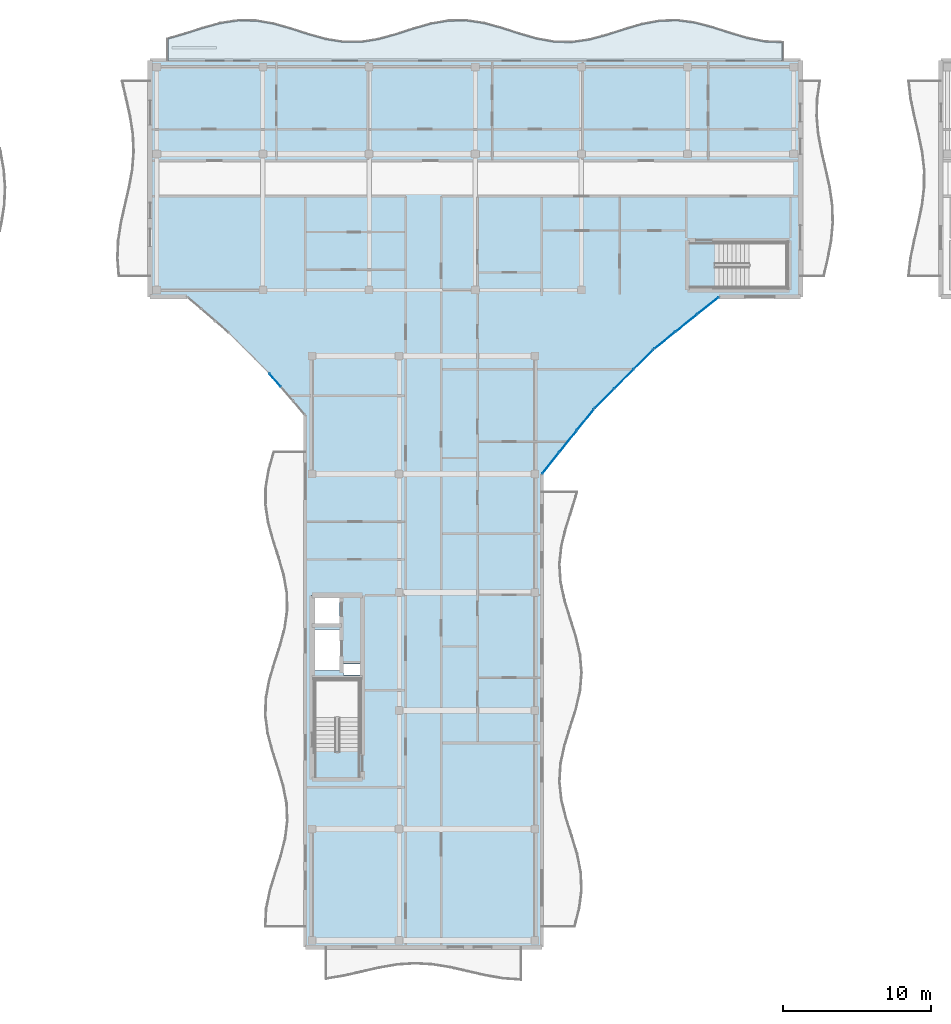
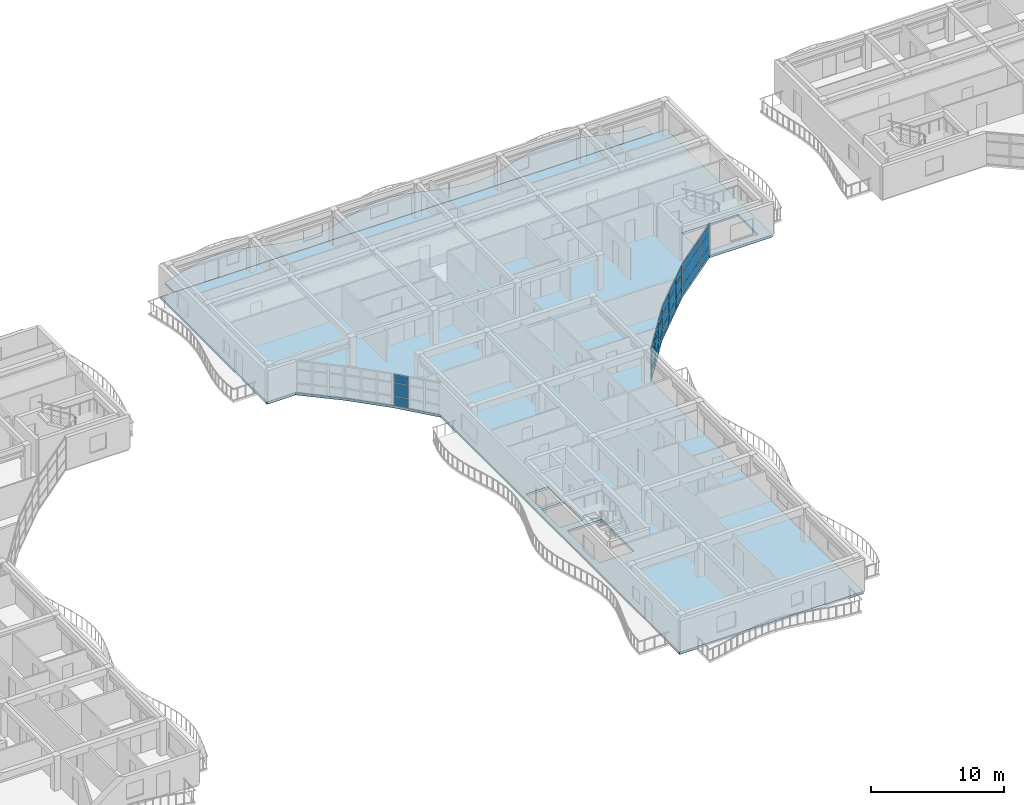
# One storey, part 26 of 68: 30 plates, 2 slabs, 4 elements without a shape of their own.
"""IFC4 building model written with IfcOpenShell, lengths in metres."""

from ifc_helpers import new_model, si_unit, direction, frame, origin, origin_2d, place, context, subcontext, project, spatial, polyline, rectangle, outline, extrude, material, layer, layer_set, type_object, element, aggregate, save


model = new_model("IFC4")

# Units and contexts
model_context = context("Model", 3, precision=1e-05, world=origin(), true_north=direction((0.0, 1.0)))
body_context = subcontext(model_context, "Body", "Model", "MODEL_VIEW")
ifc_project = project(units=[si_unit("LENGTHUNIT", "METRE"), si_unit("AREAUNIT", "SQUARE_METRE"), si_unit("VOLUMEUNIT", "CUBIC_METRE"), si_unit("PLANEANGLEUNIT", "RADIAN"), si_unit("MASSUNIT", "GRAM", prefix="KILO")], contexts=[model_context])

# Site, building, storey
site_placement = place(None, origin())
site = spatial("IfcSite", under=ifc_project, at=site_placement, CompositionType="ELEMENT")
building_placement = place(site_placement, origin())
building = spatial("IfcBuilding", under=site, at=building_placement, Name="Keldmere Railside Commons", CompositionType="ELEMENT")
storey_placement = place(building_placement, frame((0.0, 0.0, 23.360107421875)))
storey = spatial("IfcBuildingStorey", under=building, at=storey_placement, Name="L07", CompositionType="ELEMENT", Elevation=23.360107421875)

# Curtain wall, plates
ifc_material_1 = material(Name="Thermally Broken Aluminium", Category="aluminium")
ifc_layer_1 = layer(ifc_material_1, 0.159912109375, Name="Court Chord Wintergarden CW 5400x2850")
ifc_layer_set_1 = layer_set([ifc_layer_1], Name="Thermally Broken Aluminium")
curtain_wall_type_1 = type_object("IfcCurtainWallType", Name="Court Chord Wintergarden CW 5400x2850", PredefinedType="NOTDEFINED", material=ifc_layer_set_1)
curtain_wall_1_placement = place(storey_placement, origin())
curtain_wall_1 = element("IfcCurtainWall", 1, at=curtain_wall_1_placement, inside=storey, type_object=curtain_wall_type_1, Name="CW-13 CW-L07-128", PredefinedType="NOTDEFINED")
ifc_material_2 = material(Name="Insulated Aluminium Spandrel Panel", Category="aluminium")
ifc_layer_2 = layer(ifc_material_2, 0.0439453125, Name="Insulated Ocher Spandrel Panel 44")
ifc_layer_set_2 = layer_set([ifc_layer_2], Name="Insulated Aluminium Spandrel Panel")
plate_type_1 = type_object("IfcPlateType", Name="Insulated Ocher Spandrel Panel 44", PredefinedType="CURTAIN_PANEL", material=ifc_layer_set_2)
plate_1_placement = place(storey_placement, frame((126.88916015625, 95.76513671875, 0.06494140625), z_axis=(0.0, 0.0, 1.0), x_axis=(-0.707106781187, -0.707106781187, 0.0)))
plate_1 = element("IfcPlate", 2, at=plate_1_placement, type_object=plate_type_1, Name="CW-13 panel 1.1", PredefinedType="CURTAIN_PANEL", context=body_context, shape_type="SweptSolid", body=[
    extrude(rectangle(XDim=1.795654296875, YDim=0.0439453125, at=origin_2d()), origin(), (0.0, 0.0, 1.0), 0.802490234375),
])
plate_2_placement = place(storey_placement, frame((126.88916015625, 95.76513671875, 0.932373046875), z_axis=(0.0, 0.0, 1.0), x_axis=(-0.707106781187, -0.707106781187, 0.0)))
plate_2 = element("IfcPlate", 3, at=plate_2_placement, type_object=plate_type_1, Name="CW-13 panel 1.2", PredefinedType="CURTAIN_PANEL", context=body_context, shape_type="SweptSolid", body=[
    extrude(rectangle(XDim=1.795654296875, YDim=0.0439453125, at=origin_2d()), origin(), (0.0, 0.0, 1.0), 1.18505859375),
])
plate_3_placement = place(storey_placement, frame((126.88916015625, 95.76513671875, 2.182373046875), z_axis=(0.0, 0.0, 1.0), x_axis=(-0.707106781187, -0.707106781187, 0.0)))
plate_3 = element("IfcPlate", 4, at=plate_3_placement, type_object=plate_type_1, Name="CW-13 panel 1.3", PredefinedType="CURTAIN_PANEL", context=body_context, shape_type="SweptSolid", body=[
    extrude(rectangle(XDim=1.795654296875, YDim=0.0439453125, at=origin_2d()), origin(), (0.0, 0.0, 1.0), 0.732421875),
])
plate_4_placement = place(storey_placement, frame((125.56201171875, 94.43798828125, 0.06494140625), z_axis=(0.0, 0.0, 1.0), x_axis=(-0.707106781187, -0.707106781187, 0.0)))
plate_4 = element("IfcPlate", 5, at=plate_4_placement, type_object=plate_type_1, Name="CW-13 panel 2.1", PredefinedType="CURTAIN_PANEL", context=body_context, shape_type="SweptSolid", body=[
    extrude(rectangle(XDim=1.828125, YDim=0.0439453125, at=origin_2d()), origin(), (0.0, 0.0, 1.0), 0.802490234375),
])
plate_5_placement = place(storey_placement, frame((125.56201171875, 94.43798828125, 0.932373046875), z_axis=(0.0, 0.0, 1.0), x_axis=(-0.707106781187, -0.707106781187, 0.0)))
plate_5 = element("IfcPlate", 6, at=plate_5_placement, type_object=plate_type_1, Name="CW-13 panel 2.2", PredefinedType="CURTAIN_PANEL", context=body_context, shape_type="SweptSolid", body=[
    extrude(rectangle(XDim=1.828125, YDim=0.0439453125, at=origin_2d()), origin(), (0.0, 0.0, 1.0), 1.18505859375),
])
plate_6_placement = place(storey_placement, frame((125.56201171875, 94.43798828125, 2.182373046875), z_axis=(0.0, 0.0, 1.0), x_axis=(-0.707106781187, -0.707106781187, 0.0)))
plate_6 = element("IfcPlate", 7, at=plate_6_placement, type_object=plate_type_1, Name="CW-13 panel 2.3", PredefinedType="CURTAIN_PANEL", context=body_context, shape_type="SweptSolid", body=[
    extrude(rectangle(XDim=1.828125, YDim=0.0439453125, at=origin_2d()), origin(), (0.0, 0.0, 1.0), 0.732421875),
])
plate_7_placement = place(storey_placement, frame((124.23486328125, 93.11083984375, 0.06494140625), z_axis=(0.0, 0.0, 1.0), x_axis=(-0.707106781187, -0.707106781187, 0.0)))
plate_7 = element("IfcPlate", 8, at=plate_7_placement, type_object=plate_type_1, Name="CW-13 panel 3.1", PredefinedType="CURTAIN_PANEL", context=body_context, shape_type="SweptSolid", body=[
    extrude(rectangle(XDim=1.795654296875, YDim=0.0439453125, at=origin_2d()), origin(), (0.0, 0.0, 1.0), 0.802490234375),
])
plate_8_placement = place(storey_placement, frame((124.23486328125, 93.11083984375, 0.932373046875), z_axis=(0.0, 0.0, 1.0), x_axis=(-0.707106781187, -0.707106781187, 0.0)))
plate_8 = element("IfcPlate", 9, at=plate_8_placement, type_object=plate_type_1, Name="CW-13 panel 3.2", PredefinedType="CURTAIN_PANEL", context=body_context, shape_type="SweptSolid", body=[
    extrude(rectangle(XDim=1.795654296875, YDim=0.0439453125, at=origin_2d()), origin(), (0.0, 0.0, 1.0), 1.18505859375),
])
plate_9_placement = place(storey_placement, frame((124.23486328125, 93.11083984375, 2.182373046875), z_axis=(0.0, 0.0, 1.0), x_axis=(-0.707106781187, -0.707106781187, 0.0)))
plate_9 = element("IfcPlate", 10, at=plate_9_placement, type_object=plate_type_1, Name="CW-13 panel 3.3", PredefinedType="CURTAIN_PANEL", context=body_context, shape_type="SweptSolid", body=[
    extrude(rectangle(XDim=1.795654296875, YDim=0.0439453125, at=origin_2d()), origin(), (0.0, 0.0, 1.0), 0.732421875),
])
aggregate(curtain_wall_1, [plate_1, plate_2, plate_3, plate_4, plate_5, plate_6, plate_7, plate_8, plate_9])

ifc_layer_3 = layer(ifc_material_1, 0.159912109375, Name="Court Chord Wintergarden CW 4800x2850")
ifc_layer_set_3 = layer_set([ifc_layer_3], Name="Thermally Broken Aluminium")
curtain_wall_type_2 = type_object("IfcCurtainWallType", Name="Court Chord Wintergarden CW 4800x2850", PredefinedType="NOTDEFINED", material=ifc_layer_set_3)
curtain_wall_2_placement = place(storey_placement, origin())
curtain_wall_2 = element("IfcCurtainWall", 11, at=curtain_wall_2_placement, inside=storey, type_object=curtain_wall_type_2, Name="CW-12 CW-L07-132", PredefinedType="NOTDEFINED")
plate_10_placement = place(storey_placement, frame((101.952392578125, 94.369384765625, 0.06494140625), z_axis=(0.0, 0.0, 1.0), x_axis=(-0.653881741053, 0.756596767584, 0.0)))
plate_10 = element("IfcPlate", 12, at=plate_10_placement, type_object=plate_type_1, Name="CW-12 panel 3.1", PredefinedType="CURTAIN_PANEL", context=body_context, shape_type="SweptSolid", body=[
    extrude(rectangle(XDim=1.16162109375, YDim=0.0439453125, at=origin_2d()), origin(), (0.0, 0.0, 1.0), 0.802490234375),
])
plate_11_placement = place(storey_placement, frame((101.952392578125, 94.369384765625, 0.932373046875), z_axis=(0.0, 0.0, 1.0), x_axis=(-0.653881741053, 0.756596767584, 0.0)))
plate_11 = element("IfcPlate", 13, at=plate_11_placement, type_object=plate_type_1, Name="CW-12 panel 3.2", PredefinedType="CURTAIN_PANEL", context=body_context, shape_type="SweptSolid", body=[
    extrude(rectangle(XDim=1.16162109375, YDim=0.0439453125, at=origin_2d()), origin(), (0.0, 0.0, 1.0), 1.18505859375),
])
plate_12_placement = place(storey_placement, frame((101.952392578125, 94.369384765625, 2.182373046875), z_axis=(0.0, 0.0, 1.0), x_axis=(-0.653881741053, 0.756596767584, 0.0)))
plate_12 = element("IfcPlate", 14, at=plate_12_placement, type_object=plate_type_1, Name="CW-12 panel 3.3", PredefinedType="CURTAIN_PANEL", context=body_context, shape_type="SweptSolid", body=[
    extrude(rectangle(XDim=1.16162109375, YDim=0.0439453125, at=origin_2d()), origin(), (0.0, 0.0, 1.0), 0.732421875),
])
aggregate(curtain_wall_2, [plate_10, plate_11, plate_12])

curtain_wall_3_placement = place(storey_placement, origin())
curtain_wall_3 = element("IfcCurtainWall", 15, at=curtain_wall_3_placement, inside=storey, type_object=curtain_wall_type_2, Name="CW-12 CW-L07-127", PredefinedType="NOTDEFINED")
ifc_layer_4 = layer(ifc_material_2, 0.050048828125, Name="Insulated Terracotta Spandrel Panel 50")
ifc_layer_set_4 = layer_set([ifc_layer_4], Name="Insulated Aluminium Spandrel Panel")
plate_type_2 = type_object("IfcPlateType", Name="Insulated Terracotta Spandrel Panel 50", PredefinedType="CURTAIN_PANEL", material=ifc_layer_set_4)
plate_13_placement = place(storey_placement, frame((122.951416015625, 91.678955078125, 0.06494140625), z_axis=(0.0, 0.0, 1.0), x_axis=(-0.625768080915, -0.780009172323, 0.0)))
plate_13 = element("IfcPlate", 16, at=plate_13_placement, type_object=plate_type_2, Name="CW-12 panel 1.1", PredefinedType="CURTAIN_PANEL", context=body_context, shape_type="SweptSolid", body=[
    extrude(rectangle(XDim=1.795654296875, YDim=0.050048828125, at=origin_2d()), origin(), (0.0, 0.0, 1.0), 0.802490234375),
])
plate_14_placement = place(storey_placement, frame((122.951416015625, 91.678955078125, 0.932373046875), z_axis=(0.0, 0.0, 1.0), x_axis=(-0.625768080915, -0.780009172323, 0.0)))
plate_14 = element("IfcPlate", 17, at=plate_14_placement, type_object=plate_type_2, Name="CW-12 panel 1.2", PredefinedType="CURTAIN_PANEL", context=body_context, shape_type="SweptSolid", body=[
    extrude(rectangle(XDim=1.795654296875, YDim=0.050048828125, at=origin_2d()), origin(), (0.0, 0.0, 1.0), 1.18505859375),
])
plate_15_placement = place(storey_placement, frame((122.951416015625, 91.678955078125, 2.182373046875), z_axis=(0.0, 0.0, 1.0), x_axis=(-0.625768080915, -0.780009172323, 0.0)))
plate_15 = element("IfcPlate", 18, at=plate_15_placement, type_object=plate_type_2, Name="CW-12 panel 1.3", PredefinedType="CURTAIN_PANEL", context=body_context, shape_type="SweptSolid", body=[
    extrude(rectangle(XDim=1.795654296875, YDim=0.050048828125, at=origin_2d()), origin(), (0.0, 0.0, 1.0), 0.732421875),
])
plate_16_placement = place(storey_placement, frame((121.777099609375, 90.215087890625, 0.06494140625), z_axis=(0.0, 0.0, 1.0), x_axis=(-0.625768080915, -0.780009172323, 0.0)))
plate_16 = element("IfcPlate", 19, at=plate_16_placement, type_object=plate_type_2, Name="CW-12 panel 2.1", PredefinedType="CURTAIN_PANEL", context=body_context, shape_type="SweptSolid", body=[
    extrude(rectangle(XDim=1.828125, YDim=0.050048828125, at=origin_2d()), origin(), (0.0, 0.0, 1.0), 0.802490234375),
])
plate_17_placement = place(storey_placement, frame((121.777099609375, 90.215087890625, 0.932373046875), z_axis=(0.0, 0.0, 1.0), x_axis=(-0.625768080915, -0.780009172323, 0.0)))
plate_17 = element("IfcPlate", 20, at=plate_17_placement, type_object=plate_type_2, Name="CW-12 panel 2.2", PredefinedType="CURTAIN_PANEL", context=body_context, shape_type="SweptSolid", body=[
    extrude(rectangle(XDim=1.828125, YDim=0.050048828125, at=origin_2d()), origin(), (0.0, 0.0, 1.0), 1.18505859375),
])
plate_18_placement = place(storey_placement, frame((121.777099609375, 90.215087890625, 2.182373046875), z_axis=(0.0, 0.0, 1.0), x_axis=(-0.625768080915, -0.780009172323, 0.0)))
plate_18 = element("IfcPlate", 21, at=plate_18_placement, type_object=plate_type_2, Name="CW-12 panel 2.3", PredefinedType="CURTAIN_PANEL", context=body_context, shape_type="SweptSolid", body=[
    extrude(rectangle(XDim=1.828125, YDim=0.050048828125, at=origin_2d()), origin(), (0.0, 0.0, 1.0), 0.732421875),
])
plate_19_placement = place(storey_placement, frame((120.6025390625, 88.7509765625, 0.06494140625), z_axis=(0.0, 0.0, 1.0), x_axis=(-0.625768080915, -0.780009172323, 0.0)))
plate_19 = element("IfcPlate", 22, at=plate_19_placement, type_object=plate_type_2, Name="CW-12 panel 3.1", PredefinedType="CURTAIN_PANEL", context=body_context, shape_type="SweptSolid", body=[
    extrude(rectangle(XDim=1.795654296875, YDim=0.050048828125, at=origin_2d()), origin(), (0.0, 0.0, 1.0), 0.802490234375),
])
plate_20_placement = place(storey_placement, frame((120.6025390625, 88.7509765625, 0.932373046875), z_axis=(0.0, 0.0, 1.0), x_axis=(-0.625768080915, -0.780009172323, 0.0)))
plate_20 = element("IfcPlate", 23, at=plate_20_placement, type_object=plate_type_2, Name="CW-12 panel 3.2", PredefinedType="CURTAIN_PANEL", context=body_context, shape_type="SweptSolid", body=[
    extrude(rectangle(XDim=1.795654296875, YDim=0.050048828125, at=origin_2d()), origin(), (0.0, 0.0, 1.0), 1.18505859375),
])
plate_21_placement = place(storey_placement, frame((120.6025390625, 88.7509765625, 2.182373046875), z_axis=(0.0, 0.0, 1.0), x_axis=(-0.625768080915, -0.780009172323, 0.0)))
plate_21 = element("IfcPlate", 24, at=plate_21_placement, type_object=plate_type_2, Name="CW-12 panel 3.3", PredefinedType="CURTAIN_PANEL", context=body_context, shape_type="SweptSolid", body=[
    extrude(rectangle(XDim=1.795654296875, YDim=0.050048828125, at=origin_2d()), origin(), (0.0, 0.0, 1.0), 0.732421875),
])
aggregate(curtain_wall_3, [plate_13, plate_14, plate_15, plate_16, plate_17, plate_18, plate_19, plate_20, plate_21])

curtain_wall_4_placement = place(storey_placement, origin())
curtain_wall_4 = element("IfcCurtainWall", 25, at=curtain_wall_4_placement, inside=storey, type_object=curtain_wall_type_2, Name="CW-12 CW-L07-129", PredefinedType="NOTDEFINED")
plate_22_placement = place(storey_placement, frame((131.2490234375, 99.3974609375, 0.06494140625), z_axis=(0.0, 0.0, 1.0), x_axis=(-0.780009172323, -0.625768080915, 0.0)))
plate_22 = element("IfcPlate", 26, at=plate_22_placement, type_object=plate_type_2, Name="CW-12 panel 1.1", PredefinedType="CURTAIN_PANEL", context=body_context, shape_type="SweptSolid", body=[
    extrude(rectangle(XDim=1.795654296875, YDim=0.050048828125, at=origin_2d()), origin(), (0.0, 0.0, 1.0), 0.802490234375),
])
plate_23_placement = place(storey_placement, frame((131.2490234375, 99.3974609375, 0.932373046875), z_axis=(0.0, 0.0, 1.0), x_axis=(-0.780009172323, -0.625768080915, 0.0)))
plate_23 = element("IfcPlate", 27, at=plate_23_placement, type_object=plate_type_2, Name="CW-12 panel 1.2", PredefinedType="CURTAIN_PANEL", context=body_context, shape_type="SweptSolid", body=[
    extrude(rectangle(XDim=1.795654296875, YDim=0.050048828125, at=origin_2d()), origin(), (0.0, 0.0, 1.0), 1.18505859375),
])
plate_24_placement = place(storey_placement, frame((131.2490234375, 99.3974609375, 2.182373046875), z_axis=(0.0, 0.0, 1.0), x_axis=(-0.780009172323, -0.625768080915, 0.0)))
plate_24 = element("IfcPlate", 28, at=plate_24_placement, type_object=plate_type_2, Name="CW-12 panel 1.3", PredefinedType="CURTAIN_PANEL", context=body_context, shape_type="SweptSolid", body=[
    extrude(rectangle(XDim=1.795654296875, YDim=0.050048828125, at=origin_2d()), origin(), (0.0, 0.0, 1.0), 0.732421875),
])
plate_25_placement = place(storey_placement, frame((129.784912109375, 98.222900390625, 0.06494140625), z_axis=(0.0, 0.0, 1.0), x_axis=(-0.780009172323, -0.625768080915, 0.0)))
plate_25 = element("IfcPlate", 29, at=plate_25_placement, type_object=plate_type_2, Name="CW-12 panel 2.1", PredefinedType="CURTAIN_PANEL", context=body_context, shape_type="SweptSolid", body=[
    extrude(rectangle(XDim=1.828125, YDim=0.050048828125, at=origin_2d()), origin(), (0.0, 0.0, 1.0), 0.802490234375),
])
plate_26_placement = place(storey_placement, frame((129.784912109375, 98.222900390625, 0.932373046875), z_axis=(0.0, 0.0, 1.0), x_axis=(-0.780009172323, -0.625768080915, 0.0)))
plate_26 = element("IfcPlate", 30, at=plate_26_placement, type_object=plate_type_2, Name="CW-12 panel 2.2", PredefinedType="CURTAIN_PANEL", context=body_context, shape_type="SweptSolid", body=[
    extrude(rectangle(XDim=1.828125, YDim=0.050048828125, at=origin_2d()), origin(), (0.0, 0.0, 1.0), 1.18505859375),
])
plate_27_placement = place(storey_placement, frame((129.784912109375, 98.222900390625, 2.182373046875), z_axis=(0.0, 0.0, 1.0), x_axis=(-0.780009172323, -0.625768080915, 0.0)))
plate_27 = element("IfcPlate", 31, at=plate_27_placement, type_object=plate_type_2, Name="CW-12 panel 2.3", PredefinedType="CURTAIN_PANEL", context=body_context, shape_type="SweptSolid", body=[
    extrude(rectangle(XDim=1.828125, YDim=0.050048828125, at=origin_2d()), origin(), (0.0, 0.0, 1.0), 0.732421875),
])
plate_28_placement = place(storey_placement, frame((128.321044921875, 97.048583984375, 0.06494140625), z_axis=(0.0, 0.0, 1.0), x_axis=(-0.780009172323, -0.625768080915, 0.0)))
plate_28 = element("IfcPlate", 32, at=plate_28_placement, type_object=plate_type_2, Name="CW-12 panel 3.1", PredefinedType="CURTAIN_PANEL", context=body_context, shape_type="SweptSolid", body=[
    extrude(rectangle(XDim=1.795654296875, YDim=0.050048828125, at=origin_2d()), origin(), (0.0, 0.0, 1.0), 0.802490234375),
])
plate_29_placement = place(storey_placement, frame((128.321044921875, 97.048583984375, 0.932373046875), z_axis=(0.0, 0.0, 1.0), x_axis=(-0.780009172323, -0.625768080915, 0.0)))
plate_29 = element("IfcPlate", 33, at=plate_29_placement, type_object=plate_type_2, Name="CW-12 panel 3.2", PredefinedType="CURTAIN_PANEL", context=body_context, shape_type="SweptSolid", body=[
    extrude(rectangle(XDim=1.795654296875, YDim=0.050048828125, at=origin_2d()), origin(), (0.0, 0.0, 1.0), 1.18505859375),
])
plate_30_placement = place(storey_placement, frame((128.321044921875, 97.048583984375, 2.182373046875), z_axis=(0.0, 0.0, 1.0), x_axis=(-0.780009172323, -0.625768080915, 0.0)))
plate_30 = element("IfcPlate", 34, at=plate_30_placement, type_object=plate_type_2, Name="CW-12 panel 3.3", PredefinedType="CURTAIN_PANEL", context=body_context, shape_type="SweptSolid", body=[
    extrude(rectangle(XDim=1.795654296875, YDim=0.050048828125, at=origin_2d()), origin(), (0.0, 0.0, 1.0), 0.732421875),
])
aggregate(curtain_wall_4, [plate_22, plate_23, plate_24, plate_25, plate_26, plate_27, plate_28, plate_29, plate_30])

# Slabs
ifc_material_3 = material(Name="Concrete H-30 (C30/37)", Category="concrete")
ifc_layer_5 = layer(ifc_material_3, 0.219970703125, Name="Residential Flat Slab 220")
ifc_layer_set_5 = layer_set([ifc_layer_5], Name="Concrete H-30 (C30/37)")
slab_type_1 = type_object("IfcSlabType", Name="Residential Flat Slab 220", PredefinedType="FLOOR", material=ifc_layer_set_5)
slab_1_placement = place(storey_placement, frame((0.0, 0.0, -0.22021484375)))
element("IfcSlab", 35, at=slab_1_placement, inside=storey, type_object=slab_type_1, Name="FS-2 BLKB-L07-042", PredefinedType="FLOOR", context=body_context, shape_type="SweptSolid", body=[
    extrude(outline(polyline([(104.0, 56.0), (120.0, 56.0), (120.0, 88.0), (123.553955078125, 92.429931640625), (127.570068359375, 96.446044921875), (132.0, 100.0), (137.5, 100.0), (137.5, 116.0), (93.5, 116.0), (93.5, 100.0), (96.0, 100.0), (98.85791015625, 97.530029296875), (101.530029296875, 94.85791015625), (104.0, 92.0), (104.0, 56.0)]), holes=[polyline([(107.675048828125, 69.22509765625), (104.675048828125, 69.22509765625), (104.675048828125, 74.074951171875), (107.675048828125, 74.074951171875), (107.675048828125, 69.22509765625)]), polyline([(107.699951171875, 74.419921875), (106.60009765625, 74.419921875), (106.60009765625, 75.159912109375), (107.699951171875, 75.159912109375), (107.699951171875, 74.419921875)]), polyline([(104.39990234375, 74.699951171875), (104.39990234375, 77.5), (106.39990234375, 77.5), (106.39990234375, 74.699951171875), (104.39990234375, 74.699951171875)]), polyline([(106.300048828125, 77.75), (104.39990234375, 77.75), (104.39990234375, 79.800048828125), (106.300048828125, 79.800048828125), (106.300048828125, 77.75)]), polyline([(131.72509765625, 103.625), (136.574951171875, 103.625), (136.574951171875, 100.625), (131.72509765625, 100.625), (131.72509765625, 103.625)])]), origin(), (0.0, 0.0, 1.0), 0.22021484375),
])
ifc_material_4 = material(Name="White Precast Concrete H-35 (C35/45)", Category="concrete")
ifc_layer_6 = layer(ifc_material_4, 0.179931640625, Name="Sinusoidal Wave Balcony Slab 180")
ifc_layer_set_6 = layer_set([ifc_layer_6], Name="White Precast Concrete H-35 (C35/45)")
slab_type_2 = type_object("IfcSlabType", Name="Sinusoidal Wave Balcony Slab 180", PredefinedType="FLOOR", material=ifc_layer_set_6)
slab_2_placement = place(storey_placement, frame((0.0, 0.0, -0.18017578125)))
element("IfcSlab", 36, at=slab_2_placement, inside=storey, type_object=slab_type_2, Name="WB-1 B L07 N Wave Balcony", PredefinedType="FLOOR", context=body_context, shape_type="SweptSolid", body=[
    extrude(outline(polyline([(94.699951171875, 116.0), (95.888671875, 116.0), (97.0771484375, 116.0), (98.265625, 116.0), (99.454345703125, 116.0), (100.642822265625, 116.0), (101.831298828125, 116.0), (103.02001953125, 116.0), (104.20849609375, 116.0), (105.397216796875, 116.0), (106.585693359375, 116.0), (107.7744140625, 116.0), (108.962890625, 116.0), (110.1513671875, 116.0), (111.340087890625, 116.0), (112.528564453125, 116.0), (113.717041015625, 116.0), (114.90576171875, 116.0), (116.09423828125, 116.0), (117.282958984375, 116.0), (118.471435546875, 116.0), (119.659912109375, 116.0), (120.8486328125, 116.0), (122.037109375, 116.0), (123.2255859375, 116.0), (124.414306640625, 116.0), (125.602783203125, 116.0), (126.79150390625, 116.0), (127.97998046875, 116.0), (129.168701171875, 116.0), (130.357177734375, 116.0), (131.545654296875, 116.0), (132.734375, 116.0), (133.9228515625, 116.0), (135.111328125, 116.0), (136.300048828125, 116.0), (136.300048828125, 117.207275390625), (135.111328125, 117.25341796875), (133.9228515625, 117.482421875), (132.734375, 117.834716796875), (131.545654296875, 118.217041015625), (130.357177734375, 118.529296875), (129.168701171875, 118.689208984375), (127.97998046875, 118.65478515625), (126.79150390625, 118.434814453125), (125.602783203125, 118.08740234375), (124.414306640625, 117.7041015625), (123.2255859375, 117.385009765625), (122.037109375, 117.21484375), (120.8486328125, 117.23779296875), (119.659912109375, 117.4482421875), (118.471435546875, 117.79052734375), (117.282958984375, 118.1748046875), (116.09423828125, 118.5), (114.90576171875, 118.680419921875), (113.717041015625, 118.668701171875), (112.528564453125, 118.46826171875), (111.340087890625, 118.13134765625), (110.1513671875, 117.746826171875), (108.962890625, 117.415771484375), (107.7744140625, 117.22509765625), (106.585693359375, 117.22509765625), (105.397216796875, 117.415771484375), (104.20849609375, 117.7470703125), (103.02001953125, 118.131591796875), (101.831298828125, 118.468505859375), (100.642822265625, 118.6689453125), (99.454345703125, 118.680419921875), (98.265625, 118.499755859375), (97.0771484375, 118.174560546875), (95.888671875, 117.790283203125), (94.699951171875, 117.447998046875), (94.699951171875, 116.0)])), origin(), (0.0, 0.0, 1.0), 0.18017578125),
])

save(model, "model.ifc")
